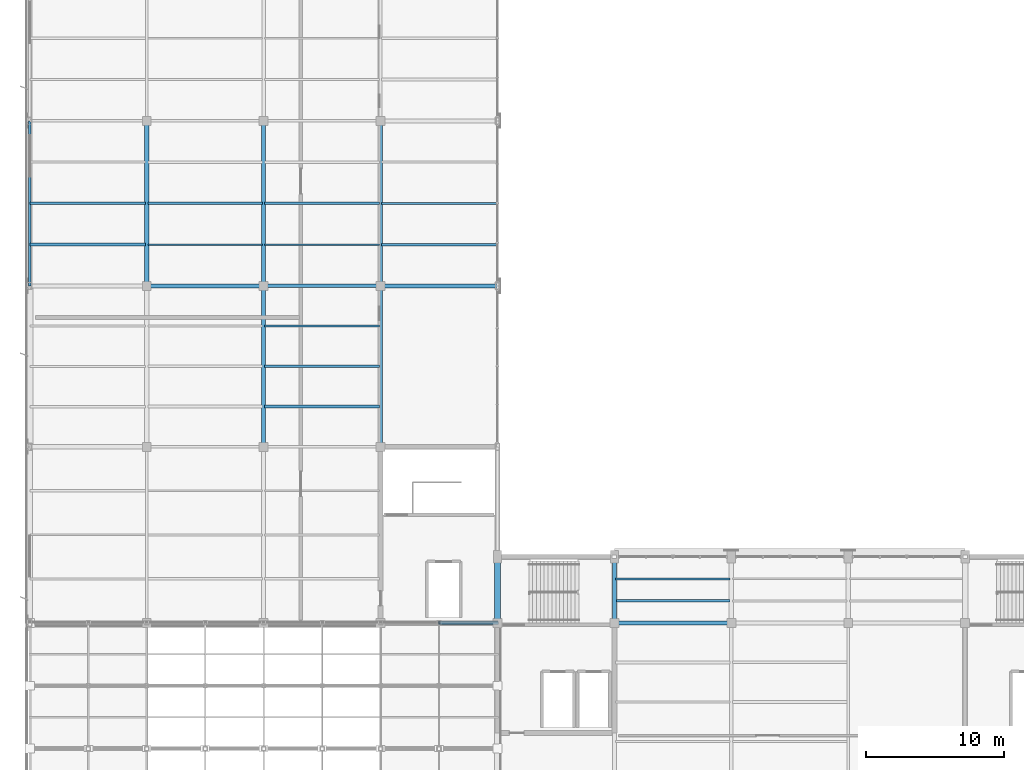
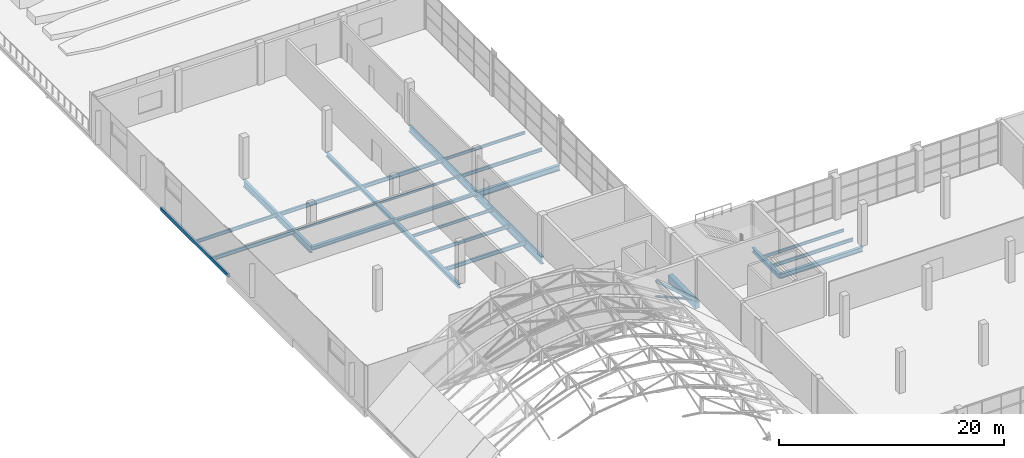
# One storey, part 25 of 86: 25 beams, 3 members.
"""IFC4 building model written with IfcOpenShell, lengths in metres."""

from ifc_helpers import new_model, si_unit, direction, frame, origin, origin_2d, place, context, subcontext, project, spatial, rectangle, hollow_rectangle, hollow_circle, i_section, extrude, material, material_profile, profile_set, type_object, element, save


model = new_model("IFC4")

# Units and contexts
model_context = context("Model", 3, precision=1e-05, world=origin(), true_north=direction((0.0, 1.0)))
body_context = subcontext(model_context, "Body", "Model", "MODEL_VIEW")
ifc_project = project(units=[si_unit("LENGTHUNIT", "METRE"), si_unit("AREAUNIT", "SQUARE_METRE"), si_unit("VOLUMEUNIT", "CUBIC_METRE"), si_unit("PLANEANGLEUNIT", "RADIAN"), si_unit("MASSUNIT", "GRAM", prefix="KILO")], contexts=[model_context])

# Site, building, storey
site_placement = place(None, origin())
site = spatial("IfcSite", under=ifc_project, at=site_placement, CompositionType="ELEMENT")
building_placement = place(site_placement, origin())
building = spatial("IfcBuilding", under=site, at=building_placement, Name="Solvikara Media Centre", CompositionType="ELEMENT")
storey_placement = place(building_placement, frame((0.0, 0.0, 15.0)))
storey = spatial("IfcBuildingStorey", under=building, at=storey_placement, Name="L03", CompositionType="ELEMENT", Elevation=15.0)

# Beams
ifc_material_1 = material(Name="Concrete fc' 35 MPa (C35/45)", Category="concrete")
ifc_material_profile_1 = material_profile(ifc_material_1, rectangle(XDim=0.449951171875, YDim=0.85009765625, at=origin_2d()), Name="RC 450x850")
ifc_profile_set_1 = profile_set([ifc_material_profile_1], Name="Concrete fc' 35 MPa (C35/45)")
beam_type_1 = type_object("IfcBeamType", Name="BM-14", PredefinedType="SPANDREL", material=ifc_profile_set_1)
beam_1_placement = place(storey_placement, frame((34.0, 32.0, -0.68505859375), z_axis=(0.0, 1.0, 0.0), x_axis=(-1.0, 0.0, 0.0)))
element("IfcBeam", 1, at=beam_1_placement, inside=storey, type_object=beam_type_1, Name="B-L03-Y1256", PredefinedType="SPANDREL", context=body_context, shape_type="SweptSolid", body=[
    extrude(rectangle(XDim=0.449951171875, YDim=0.85009765625, at=origin_2d()), origin(), (0.0, 0.0, 1.0), 4.800048828125),
])
ifc_material_2 = material(Name="Steel S355JR", Category="steel")
ifc_material_profile_2 = material_profile(ifc_material_2, i_section(OverallWidth=0.300048828125, OverallDepth=0.800048828125, WebThickness=0.013916015625, FlangeThickness=0.02587890625, at=origin_2d()), Name="WF 800x300x14x26")
ifc_profile_set_2 = profile_set([ifc_material_profile_2], Name="Steel S355JR")
beam_type_2 = type_object("IfcBeamType", Name="BM-16", PredefinedType="BEAM", material=ifc_profile_set_2)
beam_2_placement = place(storey_placement, frame((25.5, 44.800048828125, -0.662109375), z_axis=(0.0, 1.0, 0.0), x_axis=(-1.0, 0.0, 0.0)))
element("IfcBeam", 2, at=beam_2_placement, inside=storey, type_object=beam_type_2, Name="B-L03-Y1247", PredefinedType="BEAM", context=body_context, shape_type="SweptSolid", body=[
    extrude(i_section(OverallWidth=0.300048828125, OverallDepth=0.800048828125, WebThickness=0.013916015625, FlangeThickness=0.02587890625, at=origin_2d()), origin(), (0.0, 0.0, 1.0), 11.699951171875),
])
ifc_material_profile_3 = material_profile(ifc_material_2, i_section(OverallWidth=0.300048828125, OverallDepth=0.699951171875, WebThickness=0.012939453125, FlangeThickness=0.02392578125, at=origin_2d()), Name="WF 700x300x13x24")
ifc_profile_set_3 = profile_set([ifc_material_profile_3], Name="Steel S355JR")
beam_type_3 = type_object("IfcBeamType", Name="BM-17", PredefinedType="BEAM", material=ifc_profile_set_3)
for number, where, z_axis, x_axis, name in (
    (3, (8.5, 56.5, -0.612060546875), (0.0, 1.0, 0.0), (-1.0, 0.0, 0.0), "B-L03-Y1234"),
    (4, (25.5, 56.5, -0.612060546875), (0.0, 1.0, 0.0), (-1.0, 0.0, 0.0), "B-L03-Y1248"),
):
    element("IfcBeam", number, at=place(storey_placement, frame(where, z_axis=z_axis, x_axis=x_axis)), inside=storey, type_object=beam_type_3, Name=name, PredefinedType="BEAM", context=body_context, shape_type="SweptSolid", body=[
        extrude(i_section(OverallWidth=0.300048828125, OverallDepth=0.699951171875, WebThickness=0.012939453125, FlangeThickness=0.02392578125, at=origin_2d()), origin(), (0.0, 0.0, 1.0), 12.0),
    ])
ifc_material_profile_4 = material_profile(ifc_material_2, i_section(OverallWidth=0.199951171875, OverallDepth=0.39990234375, WebThickness=0.008056640625, FlangeThickness=0.012939453125, at=origin_2d()), Name="WF 400x200x8x13")
ifc_profile_set_4 = profile_set([ifc_material_profile_4], Name="Steel S355JR")
beam_type_4 = type_object("IfcBeamType", Name="BM-21", PredefinedType="JOIST", material=ifc_profile_set_4)
for number, where, z_axis, x_axis, name in (
    (5, (8.577880859375, 62.5, -0.4619140625), (1.0, 0.0, 0.0), (0.0, 1.0, 0.0), "J-L03-1329"),
    (6, (17.077880859375, 47.72509765625, -0.4619140625), (1.0, 0.0, 0.0), (0.0, 1.0, 0.0), "J-L03-1345"),
):
    element("IfcBeam", number, at=place(storey_placement, frame(where, z_axis=z_axis, x_axis=x_axis)), inside=storey, type_object=beam_type_4, Name=name, PredefinedType="JOIST", context=body_context, shape_type="SweptSolid", body=[
        extrude(i_section(OverallWidth=0.199951171875, OverallDepth=0.39990234375, WebThickness=0.008056640625, FlangeThickness=0.012939453125, at=origin_2d()), origin(), (0.0, 0.0, 1.0), 8.34423828125),
    ])
ifc_material_profile_5 = material_profile(ifc_material_2, i_section(OverallWidth=0.175048828125, OverallDepth=0.35009765625, WebThickness=0.007080078125, FlangeThickness=0.010986328125, at=origin_2d()), Name="WF 350x175x7x11")
ifc_profile_set_5 = profile_set([ifc_material_profile_5], Name="Steel S355JR")
beam_type_5 = type_object("IfcBeamType", Name="BM-22", PredefinedType="JOIST", material=ifc_profile_set_5)
for number, where, z_axis, x_axis, name in (
    (7, (17.077880859375, 50.64990234375, -0.43701171875), (1.0, 0.0, 0.0), (0.0, 1.0, 0.0), "J-L03-1346"),
    (8, (25.577880859375, 59.5, -0.43701171875), (1.0, 0.0, 0.0), (0.0, 1.0, 0.0), "J-L03-1362"),
    (9, (42.577880859375, 33.60009765625, -0.45703125), (1.0, 0.0, 0.0), (0.0, 1.0, 0.0), "J-L03-1386"),
):
    element("IfcBeam", number, at=place(storey_placement, frame(where, z_axis=z_axis, x_axis=x_axis)), inside=storey, type_object=beam_type_5, Name=name, PredefinedType="JOIST", context=body_context, shape_type="SweptSolid", body=[
        extrude(i_section(OverallWidth=0.175048828125, OverallDepth=0.35009765625, WebThickness=0.007080078125, FlangeThickness=0.010986328125, at=origin_2d()), origin(), (0.0, 0.0, 1.0), 8.34423828125),
    ])
ifc_material_profile_6 = material_profile(ifc_material_2, i_section(OverallWidth=0.14990234375, OverallDepth=0.300048828125, WebThickness=0.006591796875, FlangeThickness=0.009033203125, at=origin_2d()), Name="WF 300x150x6.5x9")
ifc_profile_set_6 = profile_set([ifc_material_profile_6], Name="Steel S355JR")
beam_type_6 = type_object("IfcBeamType", Name="BM-23", PredefinedType="JOIST", material=ifc_profile_set_6)
for number, where, z_axis, x_axis, name in (
    (10, (17.077880859375, 53.574951171875, -0.412109375), (1.0, 0.0, 0.0), (0.0, 1.0, 0.0), "J-L03-1347"),
    (11, (25.577880859375, 62.5, -0.412109375), (1.0, 0.0, 0.0), (0.0, 1.0, 0.0), "J-L03-1363"),
    (12, (42.577880859375, 35.199951171875, -0.431884765625), (1.0, 0.0, 0.0), (0.0, 1.0, 0.0), "J-L03-1387"),
):
    element("IfcBeam", number, at=place(storey_placement, frame(where, z_axis=z_axis, x_axis=x_axis)), inside=storey, type_object=beam_type_6, Name=name, PredefinedType="JOIST", context=body_context, shape_type="SweptSolid", body=[
        extrude(i_section(OverallWidth=0.14990234375, OverallDepth=0.300048828125, WebThickness=0.006591796875, FlangeThickness=0.009033203125, at=origin_2d()), origin(), (0.0, 0.0, 1.0), 8.34423828125),
    ])
ifc_material_profile_7 = material_profile(ifc_material_2, i_section(OverallWidth=0.125, OverallDepth=0.25, WebThickness=0.006103515625, FlangeThickness=0.009033203125, at=origin_2d()), Name="WF 250x125x6x9")
ifc_profile_set_7 = profile_set([ifc_material_profile_7], Name="Steel S355JR")
beam_type_7 = type_object("IfcBeamType", Name="BM-24", PredefinedType="JOIST", material=ifc_profile_set_7)
beam_3_placement = place(storey_placement, frame((17.077880859375, 59.5, -0.386962890625), z_axis=(1.0, 0.0, 0.0), x_axis=(0.0, 1.0, 0.0)))
element("IfcBeam", 13, at=beam_3_placement, inside=storey, type_object=beam_type_7, Name="J-L03-1348", PredefinedType="JOIST", context=body_context, shape_type="SweptSolid", body=[
    extrude(i_section(OverallWidth=0.125, OverallDepth=0.25, WebThickness=0.006103515625, FlangeThickness=0.009033203125, at=origin_2d()), origin(), (0.0, 0.0, 1.0), 8.34423828125),
])
ifc_material_profile_8 = material_profile(ifc_material_2, i_section(OverallWidth=0.300048828125, OverallDepth=0.488037109375, WebThickness=0.010986328125, FlangeThickness=0.01806640625, at=origin_2d()), Name="H 488x300x11x18")
ifc_profile_set_8 = profile_set([ifc_material_profile_8], Name="Steel S355JR")
beam_type_8 = type_object("IfcBeamType", Name="BM-27", PredefinedType="BEAM", material=ifc_profile_set_8)
beam_4_placement = place(storey_placement, frame((42.5, 32.0, -0.52587890625), z_axis=(1.0, 0.0, 0.0), x_axis=(0.0, 1.0, 0.0)))
element("IfcBeam", 14, at=beam_4_placement, inside=storey, type_object=beam_type_8, Name="B-L03-X1183", PredefinedType="BEAM", context=body_context, shape_type="SweptSolid", body=[
    extrude(i_section(OverallWidth=0.300048828125, OverallDepth=0.488037109375, WebThickness=0.010986328125, FlangeThickness=0.01806640625, at=origin_2d()), origin(), (0.0, 0.0, 1.0), 8.5),
])
beam_5_placement = place(storey_placement, frame((42.5, 32.0, -0.52587890625), z_axis=(0.0, 1.0, 0.0), x_axis=(-1.0, 0.0, 0.0)))
element("IfcBeam", 15, at=beam_5_placement, inside=storey, type_object=beam_type_8, Name="B-L03-Y1267", PredefinedType="BEAM", context=body_context, shape_type="SweptSolid", body=[
    extrude(i_section(OverallWidth=0.300048828125, OverallDepth=0.488037109375, WebThickness=0.010986328125, FlangeThickness=0.01806640625, at=origin_2d()), origin(), (0.0, 0.0, 1.0), 4.800048828125),
])
ifc_material_profile_9 = material_profile(ifc_material_2, i_section(OverallWidth=0.300048828125, OverallDepth=0.43994140625, WebThickness=0.010986328125, FlangeThickness=0.01806640625, at=origin_2d()), Name="H 440x300x11x18")
ifc_profile_set_9 = profile_set([ifc_material_profile_9], Name="Steel S355JR")
beam_type_9 = type_object("IfcBeamType", Name="BM-28", PredefinedType="BEAM", material=ifc_profile_set_9)
beam_6_placement = place(storey_placement, frame((17.0, 44.800048828125, -0.48193359375), z_axis=(0.0, 1.0, 0.0), x_axis=(-1.0, 0.0, 0.0)))
element("IfcBeam", 16, at=beam_6_placement, inside=storey, type_object=beam_type_9, Name="B-L03-Y1240", PredefinedType="BEAM", context=body_context, shape_type="SweptSolid", body=[
    extrude(i_section(OverallWidth=0.300048828125, OverallDepth=0.43994140625, WebThickness=0.010986328125, FlangeThickness=0.01806640625, at=origin_2d()), origin(), (0.0, 0.0, 1.0), 11.699951171875),
])
ifc_material_profile_10 = material_profile(ifc_material_2, i_section(OverallWidth=0.300048828125, OverallDepth=0.389892578125, WebThickness=0.010009765625, FlangeThickness=0.01611328125, at=origin_2d()), Name="H 390x300x10x16")
ifc_profile_set_10 = profile_set([ifc_material_profile_10], Name="Steel S355JR")
beam_type_10 = type_object("IfcBeamType", Name="BM-29", PredefinedType="BEAM", material=ifc_profile_set_10)
beam_7_placement = place(storey_placement, frame((8.5, 56.5, -0.45703125), z_axis=(1.0, 0.0, 0.0), x_axis=(0.0, 1.0, 0.0)))
element("IfcBeam", 17, at=beam_7_placement, inside=storey, type_object=beam_type_10, Name="B-L03-X1199", PredefinedType="BEAM", context=body_context, shape_type="SweptSolid", body=[
    extrude(i_section(OverallWidth=0.300048828125, OverallDepth=0.389892578125, WebThickness=0.010009765625, FlangeThickness=0.01611328125, at=origin_2d()), origin(), (0.0, 0.0, 1.0), 8.5),
])
beam_8_placement = place(storey_placement, frame((17.0, 56.5, -0.45703125), z_axis=(0.0, 1.0, 0.0), x_axis=(-1.0, 0.0, 0.0)))
element("IfcBeam", 18, at=beam_8_placement, inside=storey, type_object=beam_type_10, Name="B-L03-Y1241", PredefinedType="BEAM", context=body_context, shape_type="SweptSolid", body=[
    extrude(i_section(OverallWidth=0.300048828125, OverallDepth=0.389892578125, WebThickness=0.010009765625, FlangeThickness=0.01611328125, at=origin_2d()), origin(), (0.0, 0.0, 1.0), 12.0),
])
ifc_material_profile_11 = material_profile(ifc_material_2, i_section(OverallWidth=0.25, OverallDepth=0.340087890625, WebThickness=0.009033203125, FlangeThickness=0.013916015625, at=origin_2d()), Name="H 340x250x9x14")
ifc_profile_set_11 = profile_set([ifc_material_profile_11], Name="Steel S355JR")
beam_type_11 = type_object("IfcBeamType", Name="BM-30", PredefinedType="BEAM", material=ifc_profile_set_11)
beam_9_placement = place(storey_placement, frame((17.0, 56.5, -0.431884765625), z_axis=(1.0, 0.0, 0.0), x_axis=(0.0, 1.0, 0.0)))
element("IfcBeam", 19, at=beam_9_placement, inside=storey, type_object=beam_type_11, Name="B-L03-X1200", PredefinedType="BEAM", context=body_context, shape_type="SweptSolid", body=[
    extrude(i_section(OverallWidth=0.25, OverallDepth=0.340087890625, WebThickness=0.009033203125, FlangeThickness=0.013916015625, at=origin_2d()), origin(), (0.0, 0.0, 1.0), 8.5),
])
ifc_material_profile_12 = material_profile(ifc_material_2, hollow_rectangle(XDim=0.199951171875, YDim=0.39990234375, WallThickness=0.011962890625, at=origin_2d()), Name="RHS 400x200x12")
ifc_profile_set_12 = profile_set([ifc_material_profile_12], Name="Steel S355JR")
beam_type_12 = type_object("IfcBeamType", Name="BM-33", PredefinedType="SPANDREL", material=ifc_profile_set_12)
beam_10_placement = place(storey_placement, frame((0.0, 56.5, -0.4619140625), z_axis=(0.0, 1.0, 0.0), x_axis=(-1.0, 0.0, 0.0)))
element("IfcBeam", 20, at=beam_10_placement, inside=storey, type_object=beam_type_12, Name="B-L03-Y1227", PredefinedType="SPANDREL", context=body_context, shape_type="SweptSolid", body=[
    extrude(hollow_rectangle(XDim=0.199951171875, YDim=0.39990234375, WallThickness=0.011962890625, at=origin_2d()), origin(), (0.0, 0.0, 1.0), 12.0),
])
ifc_material_profile_13 = material_profile(ifc_material_2, i_section(OverallWidth=0.198974609375, OverallDepth=0.39599609375, WebThickness=0.007080078125, FlangeThickness=0.010986328125, at=origin_2d()), Name="WF 396x199x7x11")
ifc_profile_set_13 = profile_set([ifc_material_profile_13], Name="Steel S355JR")
beam_type_13 = type_object("IfcBeamType", Name="BM-37", PredefinedType="JOIST", material=ifc_profile_set_13)
beam_11_placement = place(storey_placement, frame((0.0, 59.5, -0.4599609375), z_axis=(1.0, 0.0, 0.0), x_axis=(0.0, 1.0, 0.0)))
element("IfcBeam", 21, at=beam_11_placement, inside=storey, type_object=beam_type_13, Name="J-L03-1309", PredefinedType="JOIST", context=body_context, shape_type="SweptSolid", body=[
    extrude(i_section(OverallWidth=0.198974609375, OverallDepth=0.39599609375, WebThickness=0.007080078125, FlangeThickness=0.010986328125, at=origin_2d()), origin(), (0.0, 0.0, 1.0), 8.422119140625),
])
beam_12_placement = place(storey_placement, frame((17.077880859375, 62.5, -0.4599609375), z_axis=(1.0, 0.0, 0.0), x_axis=(0.0, 1.0, 0.0)))
element("IfcBeam", 22, at=beam_12_placement, inside=storey, type_object=beam_type_13, Name="J-L03-1349", PredefinedType="JOIST", context=body_context, shape_type="SweptSolid", body=[
    extrude(i_section(OverallWidth=0.198974609375, OverallDepth=0.39599609375, WebThickness=0.007080078125, FlangeThickness=0.010986328125, at=origin_2d()), origin(), (0.0, 0.0, 1.0), 8.34423828125),
])
ifc_material_profile_14 = material_profile(ifc_material_2, i_section(OverallWidth=0.174072265625, OverallDepth=0.345947265625, WebThickness=0.006103515625, FlangeThickness=0.009033203125, at=origin_2d()), Name="WF 346x174x6x9")
ifc_profile_set_14 = profile_set([ifc_material_profile_14], Name="Steel S355JR")
beam_type_14 = type_object("IfcBeamType", Name="BM-38", PredefinedType="JOIST", material=ifc_profile_set_14)
beam_13_placement = place(storey_placement, frame((0.0, 62.5, -0.43505859375), z_axis=(1.0, 0.0, 0.0), x_axis=(0.0, 1.0, 0.0)))
element("IfcBeam", 23, at=beam_13_placement, inside=storey, type_object=beam_type_14, Name="J-L03-1310", PredefinedType="JOIST", context=body_context, shape_type="SweptSolid", body=[
    extrude(i_section(OverallWidth=0.174072265625, OverallDepth=0.345947265625, WebThickness=0.006103515625, FlangeThickness=0.009033203125, at=origin_2d()), origin(), (0.0, 0.0, 1.0), 8.422119140625),
])
ifc_material_profile_15 = material_profile(ifc_material_2, i_section(OverallWidth=0.1240234375, OverallDepth=0.248046875, WebThickness=0.0048828125, FlangeThickness=0.008056640625, at=origin_2d()), Name="WF 248x124x5x8")
ifc_profile_set_15 = profile_set([ifc_material_profile_15], Name="Steel S355JR")
beam_type_15 = type_object("IfcBeamType", Name="BM-40", PredefinedType="JOIST", material=ifc_profile_set_15)
beam_14_placement = place(storey_placement, frame((8.577880859375, 59.5, -0.385986328125), z_axis=(1.0, 0.0, 0.0), x_axis=(0.0, 1.0, 0.0)))
element("IfcBeam", 24, at=beam_14_placement, inside=storey, type_object=beam_type_15, Name="J-L03-1328", PredefinedType="JOIST", context=body_context, shape_type="SweptSolid", body=[
    extrude(i_section(OverallWidth=0.1240234375, OverallDepth=0.248046875, WebThickness=0.0048828125, FlangeThickness=0.008056640625, at=origin_2d()), origin(), (0.0, 0.0, 1.0), 8.34423828125),
])
ifc_material_profile_16 = material_profile(ifc_material_2, i_section(OverallWidth=0.302001953125, OverallDepth=0.593994140625, WebThickness=0.013916015625, FlangeThickness=0.02294921875, at=origin_2d()), Name="H 594x302x14x23")
ifc_profile_set_16 = profile_set([ifc_material_profile_16], Name="Steel S355JR")
beam_type_16 = type_object("IfcBeamType", Name="BM-41", PredefinedType="BEAM", material=ifc_profile_set_16)
beam_15_placement = place(storey_placement, frame((25.5, 56.5, -0.55908203125), z_axis=(1.0, 0.0, 0.0), x_axis=(0.0, 1.0, 0.0)))
element("IfcBeam", 25, at=beam_15_placement, inside=storey, type_object=beam_type_16, Name="B-L03-X1201", PredefinedType="BEAM", context=body_context, shape_type="SweptSolid", body=[
    extrude(i_section(OverallWidth=0.302001953125, OverallDepth=0.593994140625, WebThickness=0.013916015625, FlangeThickness=0.02294921875, at=origin_2d()), origin(), (0.0, 0.0, 1.0), 8.5),
])

# Members
ifc_material_profile_17 = material_profile(ifc_material_2, hollow_circle(Radius=0.136474609375, WallThickness=0.010009765625, at=origin_2d()), Name="CHS 273x10")
ifc_profile_set_17 = profile_set([ifc_material_profile_17], Name="Steel S355JR")
member_type_1 = type_object("IfcMemberType", Name="MB-03", PredefinedType="CHORD", material=ifc_profile_set_17)
member_1_placement = place(storey_placement, frame((29.75, 32.0, 3.3798828125), z_axis=(0.756439869263, 0.0, -0.654063241736), x_axis=(0.0, 1.0, 0.0)))
element("IfcMember", 26, at=member_1_placement, inside=storey, type_object=member_type_1, Name="Space Frame Vault Chord GC-TC-07-07", PredefinedType="CHORD", context=body_context, shape_type="SweptSolid", body=[
    extrude(hollow_circle(Radius=0.136474609375, WallThickness=0.010009765625, at=origin_2d()), origin(), (0.0, 0.0, 1.0), 5.618408203125),
])
ifc_material_profile_18 = material_profile(ifc_material_2, hollow_circle(Radius=0.122314453125, WallThickness=0.010009765625, at=origin_2d()), Name="CHS 244.5x10")
ifc_profile_set_18 = profile_set([ifc_material_profile_18], Name="Steel S355JR")
member_type_2 = type_object("IfcMemberType", Name="MB-04", PredefinedType="CHORD", material=ifc_profile_set_18)
member_2_placement = place(storey_placement, frame((29.75, 32.0, 1.72998046875), z_axis=(0.918466874624, 0.0, -0.395497914303), x_axis=(0.0, 1.0, 0.0)))
element("IfcMember", 27, at=member_2_placement, inside=storey, type_object=member_type_2, Name="GC-BC-07-07", PredefinedType="CHORD", context=body_context, shape_type="SweptSolid", body=[
    extrude(hollow_circle(Radius=0.122314453125, WallThickness=0.010009765625, at=origin_2d()), origin(), (0.0, 0.0, 1.0), 4.627197265625),
])
ifc_material_profile_19 = material_profile(ifc_material_2, hollow_circle(Radius=0.084228515625, WallThickness=0.007080078125, at=origin_2d()), Name="CHS 168.3x7.1")
ifc_profile_set_19 = profile_set([ifc_material_profile_19], Name="Steel S355JR")
member_type_3 = type_object("IfcMemberType", Name="MB-07", PredefinedType="BRACE", material=ifc_profile_set_19)
member_3_placement = place(storey_placement, frame((29.75, 32.0, 3.3798828125), z_axis=(0.773715650361, 0.0, -0.633533023911), x_axis=(0.0, 1.0, 0.0)))
element("IfcMember", 28, at=member_3_placement, inside=storey, type_object=member_type_3, Name="GC-DG-07-07", PredefinedType="BRACE", context=body_context, shape_type="SweptSolid", body=[
    extrude(hollow_circle(Radius=0.084228515625, WallThickness=0.007080078125, at=origin_2d()), origin(), (0.0, 0.0, 1.0), 5.492919921875),
])

save(model, "model.ifc")
